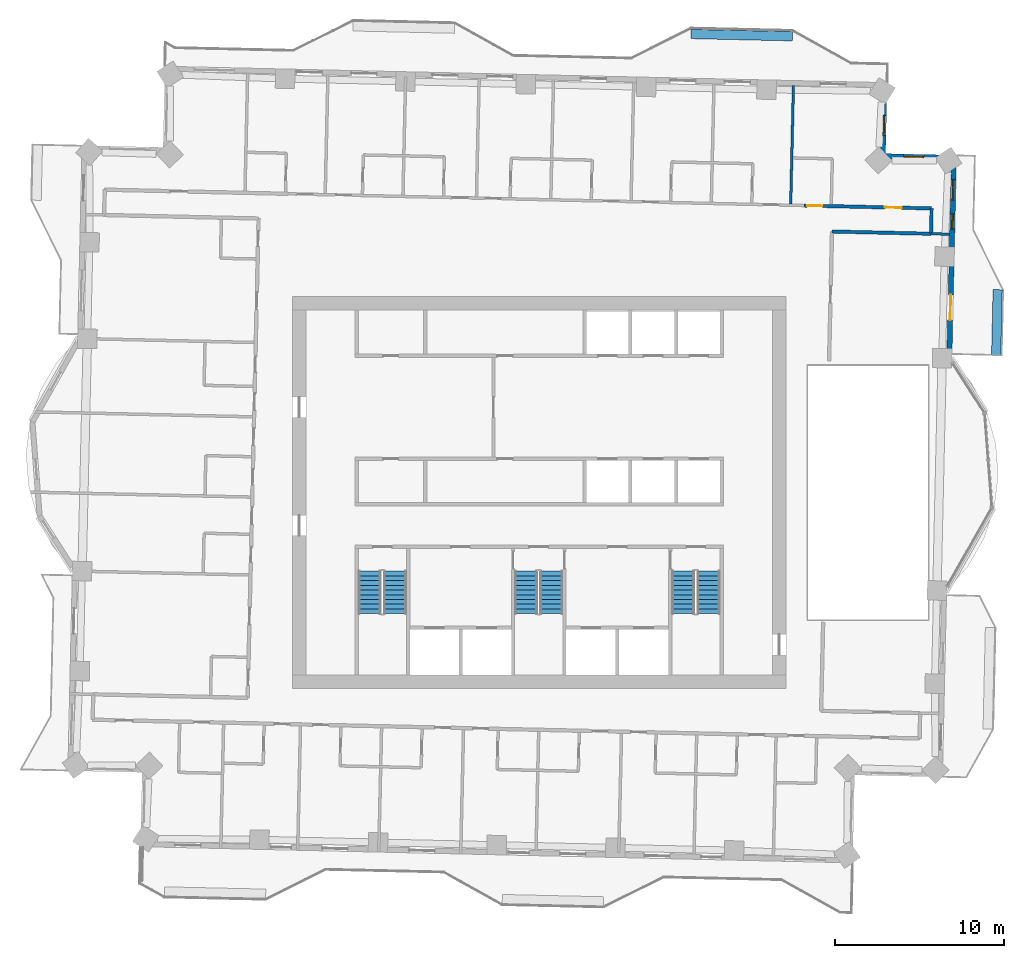
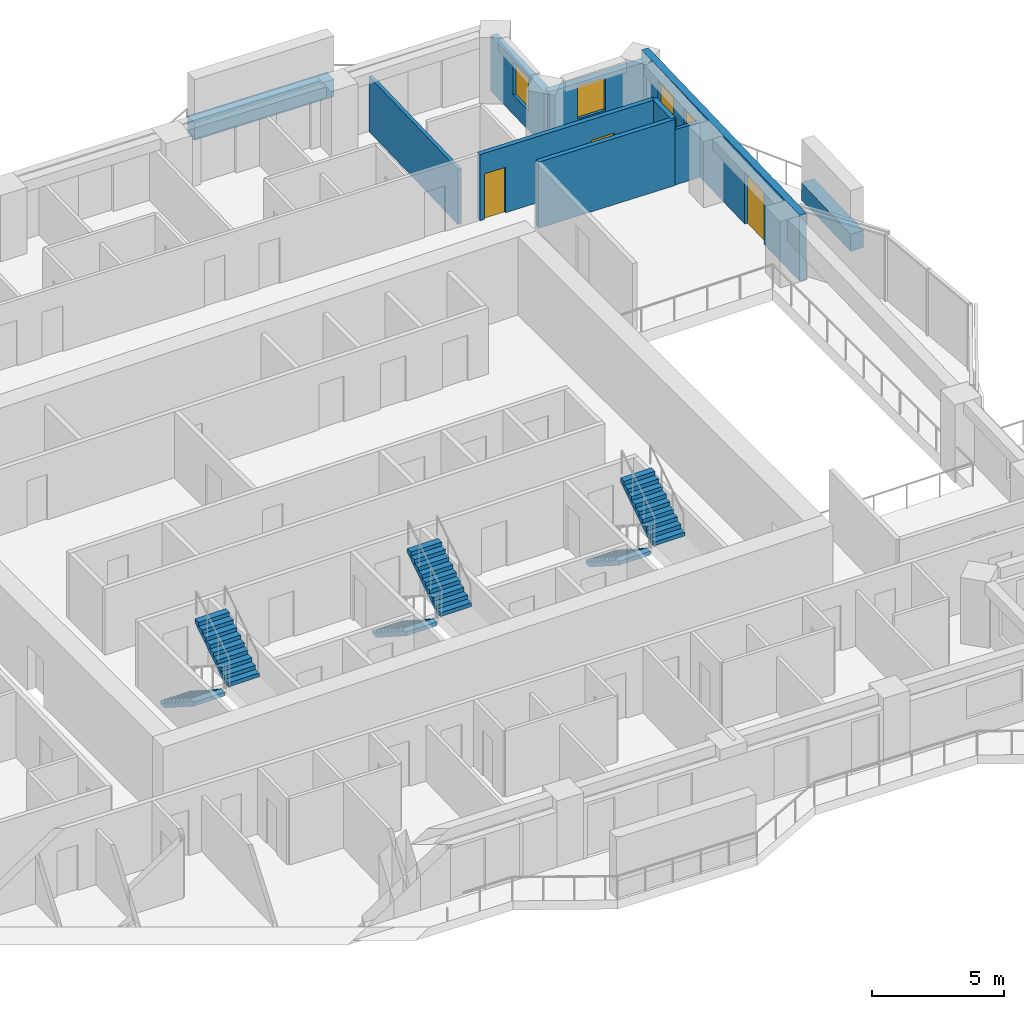
# One storey, part 10 of 14: 10 walls, 6 stair flights, 4 windows, 3 doors, 7 openings, 3 elements without a shape of their own.
"""IFC4 building model written with IfcOpenShell, lengths in metres."""

from ifc_helpers import new_model, si_unit, direction, frame, frame_2d, origin, place, context, subcontext, project, spatial, polyline, rectangle, outline, extrude, material, layer, layer_set, type_object, element, fill, aggregate, save


model = new_model("IFC4")

# Units and contexts
model_context = context("Model", 3, precision=1e-05, world=origin(), true_north=direction((0.0, 1.0)))
body_context = subcontext(model_context, "Body", "Model", "MODEL_VIEW")
ifc_project = project(units=[si_unit("LENGTHUNIT", "METRE"), si_unit("AREAUNIT", "SQUARE_METRE"), si_unit("VOLUMEUNIT", "CUBIC_METRE"), si_unit("PLANEANGLEUNIT", "RADIAN"), si_unit("MASSUNIT", "GRAM", prefix="KILO")], contexts=[model_context])

# Site, building, storey
site_placement = place(None, origin())
site = spatial("IfcSite", under=ifc_project, at=site_placement, CompositionType="ELEMENT")
building_placement = place(site_placement, origin())
building = spatial("IfcBuilding", under=site, at=building_placement, Name="Mangrove Gate Tower", CompositionType="ELEMENT")
storey_placement = place(building_placement, frame((0.0, 0.0, 205.10009765625)))
storey = spatial("IfcBuildingStorey", under=building, at=storey_placement, Name="L52", CompositionType="ELEMENT", Elevation=205.10009765625)

# Walls
ifc_material_1 = material(Name="Gypsum board on steel stud, EI 60", Category="steel")
ifc_layer_1 = layer(ifc_material_1, 0.199951171875)
ifc_layer_set_1 = layer_set([ifc_layer_1], Name="Corridor wall EI 60")
wall_type_1 = type_object("IfcWallType", Name="Corridor wall EI 60", PredefinedType="PARTITIONING", material=ifc_layer_set_1)
wall_1_placement = place(storey_placement, frame((17.322998046875, 15.444091796875, 0.0), z_axis=(0.0, 0.0, 1.0), x_axis=(0.999742758565, -0.022680756085, 0.0)))
element("IfcWall", 1, at=wall_1_placement, inside=storey, type_object=wall_type_1, Name="WALL-L52-050", PredefinedType="PARTITIONING", context=body_context, shape_type="SweptSolid", body=[
    extrude(rectangle(XDim=5.866455078125, YDim=0.199951171875, at=frame_2d((2.93310546875, 0.0))), origin(), (0.0, 0.0, 1.0), 3.0498046875),
])
wall_2_placement = place(storey_placement, frame((23.18603515625, 15.31494140625, 0.0), z_axis=(0.0, 0.0, 1.0), x_axis=(0.022617910375, 0.999744182344, 0.0)))
element("IfcWall", 2, at=wall_2_placement, inside=storey, type_object=wall_type_1, Name="WALL-L52-053", PredefinedType="PARTITIONING", context=body_context, shape_type="SweptSolid", body=[
    extrude(rectangle(XDim=1.50048828125, YDim=0.199951171875, at=frame_2d((0.750244140625, 0.0))), origin(), (0.0, 0.0, 1.0), 3.0498046875),
])

# Wall, openings, doors
wall_3_placement = place(storey_placement, frame((15.657958984375, 16.98193359375, 0.0), z_axis=(0.0, 0.0, 1.0), x_axis=(0.99974485859, -0.022587999516, 0.0)))
wall_3 = element("IfcWall", 3, at=wall_3_placement, inside=storey, type_object=wall_type_1, Name="WALL-L52-056", PredefinedType="PARTITIONING", context=body_context, shape_type="SweptSolid", body=[
    extrude(rectangle(XDim=7.56591796875, YDim=0.199951171875, at=frame_2d((3.782958984375, 0.0))), origin(), (0.0, 0.0, 1.0), 3.0498046875),
])
opening_1_placement = place(wall_3_placement, frame((4.7939453125, 0.0, 0.0)))
opening_1 = element("IfcOpeningElement", 4, at=opening_1_placement, cuts=wall_3, Name="Opening AD", PredefinedType="OPENING", context=body_context, shape_type="SweptSolid", body=[
    extrude(rectangle(XDim=1.0, YDim=2.10009765625, at=frame_2d((0.5, 1.050048828125))), frame((0.0, 0.10986328125, 0.0), z_axis=(0.0, -1.0, 0.0), x_axis=(1.0, 0.0, 0.0)), (0.0, 0.0, 1.0), 0.219970703125),
])
opening_2_placement = place(wall_3_placement, frame((0.199951171875, 0.0, 0.0)))
opening_2 = element("IfcOpeningElement", 5, at=opening_2_placement, cuts=wall_3, Name="Opening SD", PredefinedType="OPENING", context=body_context, shape_type="SweptSolid", body=[
    extrude(rectangle(XDim=0.89990234375, YDim=2.10009765625, at=frame_2d((0.449951171875, 1.050048828125))), frame((0.0, 0.10986328125, 0.0), z_axis=(0.0, -1.0, 0.0), x_axis=(1.0, 0.0, 0.0)), (0.0, 0.0, 1.0), 0.219970703125),
])
ifc_material_2 = material(Name="Timber door leaf", Category="wood")
door_type_1 = type_object("IfcDoorType", Name="Amenity door 1000", OperationType="SINGLE_SWING_LEFT", PredefinedType="DOOR", material=ifc_material_2)
door_1_placement = place(opening_1_placement, origin())
door_1 = element("IfcDoor", 6, at=door_1_placement, inside=storey, type_object=door_type_1, Name="DOOR-L52-KIT-c3a", OperationType="SINGLE_SWING_LEFT", OverallHeight=2.10009765625, OverallWidth=1.0, PredefinedType="DOOR", context=body_context, shape_type="SweptSolid", body=[
    extrude(rectangle(XDim=1.0, YDim=2.10009765625, at=frame_2d((0.5, 1.050048828125))), frame((0.0, 0.02490234375, 0.0), z_axis=(0.0, -1.0, 0.0), x_axis=(1.0, 0.0, 0.0)), (0.0, 0.0, 1.0), 0.050048828125),
])
fill(opening_1, door_1)
ifc_material_3 = material(Name="Timber door leaf", Category="wood")
door_type_2 = type_object("IfcDoorType", Name="Service room door 900", OperationType="SINGLE_SWING_LEFT", PredefinedType="DOOR", material=ifc_material_3)
door_2_placement = place(opening_2_placement, origin())
door_2 = element("IfcDoor", 7, at=door_2_placement, inside=storey, type_object=door_type_2, Name="DOOR-L52-WC-c3b", OperationType="SINGLE_SWING_LEFT", OverallHeight=2.10009765625, OverallWidth=0.89990234375, PredefinedType="DOOR", context=body_context, shape_type="SweptSolid", body=[
    extrude(rectangle(XDim=0.89990234375, YDim=2.10009765625, at=frame_2d((0.449951171875, 1.050048828125))), frame((0.0, 0.02490234375, 0.0), z_axis=(0.0, -1.0, 0.0), x_axis=(1.0, 0.0, 0.0)), (0.0, 0.0, 1.0), 0.050048828125),
])
fill(opening_2, door_2)

# Wall, openings, door, windows
ifc_material_4 = material(Name="Limestone", Category="masonry")
ifc_layer_2 = layer(ifc_material_4, 0.0400390625, Name="Limestone cladding")
ifc_material_5 = material(Name="Ventilated air gap")
ifc_layer_3 = layer(ifc_material_5, 0.0400390625, Name="Ventilated cavity")
ifc_material_6 = material(Name="Mineral wool insulation")
ifc_layer_4 = layer(ifc_material_6, 0.06005859375, Name="Insulation")
ifc_material_7 = material(Name="Breather membrane")
ifc_layer_5 = layer(ifc_material_7, 0.001953125, Name="Breather membrane")
ifc_material_8 = material(Name="Concrete C20/25 blockwork", Category="masonry")
ifc_layer_6 = layer(ifc_material_8, 0.14990234375, Name="Blockwork backing wall")
ifc_material_9 = material(Name="Gypsum plaster")
ifc_layer_7 = layer(ifc_material_9, 0.008056640625, Name="Internal plaster")
ifc_layer_set_2 = layer_set([ifc_layer_2, ifc_layer_3, ifc_layer_4, ifc_layer_5, ifc_layer_6, ifc_layer_7], Name="External wall 300 limestone cladding")
wall_type_2 = type_object("IfcWallType", Name="External wall 300 limestone cladding", PredefinedType="SOLIDWALL", material=ifc_layer_set_2)
wall_4_placement = place(storey_placement, frame((24.259033203125, 7.39111328125, 0.0), z_axis=(0.0, 0.0, 1.0), x_axis=(0.022696408441, 0.999742403344, 0.0)))
wall_4 = element("IfcWall", 8, at=wall_4_placement, inside=storey, type_object=wall_type_2, Name="WALL-L52-E2s1", PredefinedType="SOLIDWALL", context=body_context, shape_type="SweptSolid", body=[
    extrude(rectangle(XDim=12.424072265625, YDim=0.300048828125, at=frame_2d((6.2119140625, 0.0))), origin(), (0.0, 0.0, 1.0), 3.0498046875),
])
opening_3_placement = place(wall_4_placement, frame((2.805908203125, 0.0, 0.0)))
opening_3 = element("IfcOpeningElement", 9, at=opening_3_placement, cuts=wall_4, Name="Opening BD1", PredefinedType="OPENING", context=body_context, shape_type="SweptSolid", body=[
    extrude(rectangle(XDim=1.5, YDim=2.39990234375, at=frame_2d((0.75, 1.199951171875))), frame((0.0, 0.159912109375, 0.0), z_axis=(0.0, -1.0, 0.0), x_axis=(1.0, 0.0, 0.0)), (0.0, 0.0, 1.0), 0.320068359375),
])
opening_4_placement = place(wall_4_placement, frame((8.197998046875, 0.0, 0.89990234375)))
opening_4 = element("IfcOpeningElement", 10, at=opening_4_placement, cuts=wall_4, Name="Opening W5", PredefinedType="OPENING", context=body_context, shape_type="SweptSolid", body=[
    extrude(rectangle(XDim=0.89990234375, YDim=1.5, at=frame_2d((0.449951171875, 0.75))), frame((0.0, 0.159912109375, 0.0), z_axis=(0.0, -1.0, 0.0), x_axis=(1.0, 0.0, 0.0)), (0.0, 0.0, 1.0), 0.320068359375),
])
opening_5_placement = place(wall_4_placement, frame((9.9208984375, 0.0, 0.89990234375)))
opening_5 = element("IfcOpeningElement", 11, at=opening_5_placement, cuts=wall_4, Name="Opening W1", PredefinedType="OPENING", context=body_context, shape_type="SweptSolid", body=[
    extrude(rectangle(XDim=1.199951171875, YDim=1.5, at=frame_2d((0.60009765625, 0.75))), frame((0.0, 0.159912109375, 0.0), z_axis=(0.0, -1.0, 0.0), x_axis=(1.0, 0.0, 0.0)), (0.0, 0.0, 1.0), 0.320068359375),
])
ifc_material_10 = material(Name="Aluminium frame with laminated clear glass", Category="aluminium")
door_type_3 = type_object("IfcDoorType", Name="Balcony sliding door 1500x2400", OperationType="SLIDING_TO_LEFT", PredefinedType="DOOR", material=ifc_material_10)
door_3_placement = place(opening_3_placement, origin())
door_3 = element("IfcDoor", 12, at=door_3_placement, inside=storey, type_object=door_type_3, Name="DOOR-L52-E2-1", OperationType="SLIDING_TO_LEFT", OverallHeight=2.39990234375, OverallWidth=1.5, PredefinedType="DOOR", context=body_context, shape_type="SweptSolid", body=[
    extrude(rectangle(XDim=1.5, YDim=2.39990234375, at=frame_2d((0.75, 1.199951171875))), frame((0.0, 0.02490234375, 0.0), z_axis=(0.0, -1.0, 0.0), x_axis=(1.0, 0.0, 0.0)), (0.0, 0.0, 1.0), 0.050048828125),
])
fill(opening_3, door_3)
ifc_material_11 = material(Name="Aluminium frame with double-glazed low-e glass", Category="aluminium")
window_type_1 = type_object("IfcWindowType", Name="Narrow window 900x1500", PartitioningType="SINGLE_PANEL", PredefinedType="WINDOW", material=ifc_material_11)
window_1_placement = place(opening_4_placement, origin())
window_1 = element("IfcWindow", 13, at=window_1_placement, inside=storey, type_object=window_type_1, Name="WIN-L52-E2-2", OverallHeight=1.5, OverallWidth=0.89990234375, PartitioningType="SINGLE_PANEL", PredefinedType="WINDOW", context=body_context, shape_type="SweptSolid", body=[
    extrude(rectangle(XDim=0.89990234375, YDim=1.5, at=frame_2d((0.449951171875, 0.75))), frame((0.0, 0.030029296875, 0.0), z_axis=(0.0, -1.0, 0.0), x_axis=(1.0, 0.0, 0.0)), (0.0, 0.0, 1.0), 0.06005859375),
])
fill(opening_4, window_1)
ifc_material_12 = material(Name="Aluminium frame with double-glazed low-e glass", Category="aluminium")
window_type_2 = type_object("IfcWindowType", Name="Side lite 1200x1500", PartitioningType="SINGLE_PANEL", PredefinedType="WINDOW", material=ifc_material_12)
window_2_placement = place(opening_5_placement, origin())
window_2 = element("IfcWindow", 14, at=window_2_placement, inside=storey, type_object=window_type_2, Name="WIN-L52-E2-3", OverallHeight=1.5, OverallWidth=1.199951171875, PartitioningType="SINGLE_PANEL", PredefinedType="WINDOW", context=body_context, shape_type="SweptSolid", body=[
    extrude(rectangle(XDim=1.199951171875, YDim=1.5, at=frame_2d((0.60009765625, 0.75))), frame((0.0, 0.030029296875, 0.0), z_axis=(0.0, -1.0, 0.0), x_axis=(1.0, 0.0, 0.0)), (0.0, 0.0, 1.0), 0.06005859375),
])
fill(opening_5, window_2)

# Wall, opening, window
wall_5_placement = place(storey_placement, frame((24.541015625, 19.81201171875, 0.0), z_axis=(0.0, 0.0, 1.0), x_axis=(-0.999744320311, 0.022611811187, 0.0)))
wall_5 = element("IfcWall", 15, at=wall_5_placement, inside=storey, type_object=wall_type_2, Name="WALL-L52-N3", PredefinedType="SOLIDWALL", context=body_context, shape_type="SweptSolid", body=[
    extrude(rectangle(XDim=4.199951171875, YDim=0.300048828125, at=frame_2d((2.10009765625, 0.0))), origin(), (0.0, 0.0, 1.0), 2.5498046875),
])
opening_6_placement = place(wall_5_placement, frame((1.782958984375, 0.0, 0.89990234375)))
opening_6 = element("IfcOpeningElement", 16, at=opening_6_placement, cuts=wall_5, Name="Opening W1", PredefinedType="OPENING", context=body_context, shape_type="SweptSolid", body=[
    extrude(rectangle(XDim=1.199951171875, YDim=1.5, at=frame_2d((0.60009765625, 0.75))), frame((0.0, 0.159912109375, 0.0), z_axis=(0.0, -1.0, 0.0), x_axis=(1.0, 0.0, 0.0)), (0.0, 0.0, 1.0), 0.320068359375),
])
window_3_placement = place(opening_6_placement, origin())
window_3 = element("IfcWindow", 17, at=window_3_placement, inside=storey, type_object=window_type_2, Name="WIN-L52-N3-1", OverallHeight=1.5, OverallWidth=1.199951171875, PartitioningType="SINGLE_PANEL", PredefinedType="WINDOW", context=body_context, shape_type="SweptSolid", body=[
    extrude(rectangle(XDim=1.199951171875, YDim=1.5, at=frame_2d((0.60009765625, 0.75))), frame((0.0, 0.030029296875, 0.0), z_axis=(0.0, -1.0, 0.0), x_axis=(1.0, 0.0, 0.0)), (0.0, 0.0, 1.0), 0.06005859375),
])
fill(opening_6, window_3)

wall_6_placement = place(storey_placement, frame((20.342041015625, 19.906982421875, 0.0), z_axis=(0.0, 0.0, 1.0), x_axis=(0.022611811187, 0.999744320311, 0.0)))
wall_6 = element("IfcWall", 18, at=wall_6_placement, inside=storey, type_object=wall_type_2, Name="WALL-L52-E4", PredefinedType="SOLIDWALL", context=body_context, shape_type="SweptSolid", body=[
    extrude(rectangle(XDim=4.199951171875, YDim=0.300048828125, at=frame_2d((2.10009765625, 0.0))), origin(), (0.0, 0.0, 1.0), 2.5498046875),
])
opening_7_placement = place(wall_6_placement, frame((1.2119140625, 0.0, 0.89990234375)))
opening_7 = element("IfcOpeningElement", 19, at=opening_7_placement, cuts=wall_6, Name="Opening W1", PredefinedType="OPENING", context=body_context, shape_type="SweptSolid", body=[
    extrude(rectangle(XDim=1.199951171875, YDim=1.5, at=frame_2d((0.60009765625, 0.75))), frame((0.0, 0.159912109375, 0.0), z_axis=(0.0, -1.0, 0.0), x_axis=(1.0, 0.0, 0.0)), (0.0, 0.0, 1.0), 0.320068359375),
])
window_4_placement = place(opening_7_placement, origin())
window_4 = element("IfcWindow", 20, at=window_4_placement, inside=storey, type_object=window_type_2, Name="WIN-L52-E4-1", OverallHeight=1.5, OverallWidth=1.199951171875, PartitioningType="SINGLE_PANEL", PredefinedType="WINDOW", context=body_context, shape_type="SweptSolid", body=[
    extrude(rectangle(XDim=1.199951171875, YDim=1.5, at=frame_2d((0.60009765625, 0.75))), frame((0.0, 0.030029296875, 0.0), z_axis=(0.0, -1.0, 0.0), x_axis=(1.0, 0.0, 0.0)), (0.0, 0.0, 1.0), 0.06005859375),
])
fill(opening_7, window_4)

# Walls
ifc_material_13 = material(Name="Gypsum board on steel stud, EI 60", Category="steel")
ifc_layer_8 = layer(ifc_material_13, 0.14990234375)
ifc_layer_set_3 = layer_set([ifc_layer_8], Name="Party wall 150 EI 60")
wall_type_3 = type_object("IfcWallType", Name="Party wall 150 EI 60", PredefinedType="PARTITIONING", material=ifc_layer_set_3)
wall_7_placement = place(storey_placement, frame((23.18798828125, 15.31103515625, 0.0), z_axis=(0.0, 0.0, 1.0), x_axis=(0.999738848859, -0.022852441507, 0.0)))
element("IfcWall", 21, at=wall_7_placement, inside=storey, type_object=wall_type_3, Name="WALL-L52-051", PredefinedType="PARTITIONING", context=body_context, shape_type="SweptSolid", body=[
    extrude(rectangle(XDim=1.100341796875, YDim=0.14990234375, at=frame_2d((0.55029296875, 0.0))), origin(), (0.0, 0.0, 1.0), 2.5498046875),
])
wall_8_placement = place(storey_placement, frame((14.884033203125, 17.0791015625, 0.0), z_axis=(0.0, 0.0, 1.0), x_axis=(0.022703185001, 0.999742249478, 0.0)))
element("IfcWall", 22, at=wall_8_placement, inside=storey, type_object=wall_type_3, Name="WALL-L52-071", PredefinedType="PARTITIONING", context=body_context, shape_type="SweptSolid", body=[
    extrude(rectangle(XDim=7.00048828125, YDim=0.14990234375, at=frame_2d((3.500244140625, 0.0))), origin(), (0.0, 0.0, 1.0), 2.5498046875),
])
ifc_material_14 = material(Name="Concrete C32/40", Category="concrete")
ifc_layer_9 = layer(ifc_material_14, 0.199951171875, Name="Planter trough wall")
ifc_material_15 = material(Name="Bituminous waterproofing membrane")
ifc_layer_10 = layer(ifc_material_15, 0.0048828125, Name="Waterproofing")
ifc_material_16 = material(Name="Drainage board and gravel")
ifc_layer_11 = layer(ifc_material_16, 0.044921875, Name="Drainage layer")
ifc_material_17 = material(Name="Planting soil")
ifc_layer_12 = layer(ifc_material_17, 0.300048828125, Name="Growing medium")
ifc_layer_set_4 = layer_set([ifc_layer_9, ifc_layer_10, ifc_layer_11, ifc_layer_12], Name="Planter wall 550 C32/40")
wall_type_4 = type_object("IfcWallType", Name="Planter wall 550 C32/40", PredefinedType="USERDEFINED", material=ifc_layer_set_4)
wall_9_placement = place(storey_placement, frame((27.041015625, 8.126953125, 0.0), z_axis=(0.0, 0.0, 1.0), x_axis=(0.022681332769, 0.999742745482, 0.0)))
element("IfcWall", 23, at=wall_9_placement, inside=storey, type_object=wall_type_4, Name="PLANTER L52 E1.1", ObjectType="PLANTER", PredefinedType="USERDEFINED", context=body_context, shape_type="SweptSolid", body=[
    extrude(rectangle(XDim=3.875, YDim=0.550048828125, at=frame_2d((1.9375, 0.0))), origin(), (0.0, 0.0, 1.0), 0.7998046875),
])
wall_10_placement = place(storey_placement, frame((8.98095703125, 27.131103515625, 0.0), z_axis=(0.0, 0.0, 1.0), x_axis=(0.999743178102, -0.022662255828, 0.0)))
element("IfcWall", 24, at=wall_10_placement, inside=storey, type_object=wall_type_4, Name="PLANTER L52 N0.1", ObjectType="PLANTER", PredefinedType="USERDEFINED", context=body_context, shape_type="SweptSolid", body=[
    extrude(rectangle(XDim=6.00048828125, YDim=0.550048828125, at=frame_2d((3.000244140625, 0.0))), origin(), (0.0, 0.0, 1.0), 0.7998046875),
])

# Stair, stair flights
ifc_material_18 = material(Name="Concrete C40/50", Category="concrete")
stair_type = type_object("IfcStairType", Name="Core stair 1350", PredefinedType="HALF_TURN_STAIR", material=ifc_material_18)
stair_1_placement = place(storey_placement, origin())
stair_1 = element("IfcStair", 25, at=stair_1_placement, inside=storey, type_object=stair_type, Name="L52 Stair 1", PredefinedType="HALF_TURN_STAIR")
ifc_material_19 = material(Name="Concrete C40/50", Category="concrete")
stair_flight_type = type_object("IfcStairFlightType", Name="Core stair flight 1350", PredefinedType="STRAIGHT", material=ifc_material_19)
stair_flight_1_placement = place(storey_placement, frame((-10.02490234375, -4.64990234375, 0.0), z_axis=(0.0, 0.0, 1.0), x_axis=(0.0, -1.0, 0.0)))
stair_flight_1 = element("IfcStairFlight", 26, at=stair_flight_1_placement, type_object=stair_flight_type, Name="ST1 flight 1", NumberOfRisers=10, NumberOfTreads=9, PredefinedType="STRAIGHT", RiserHeight=0.18, TreadLength=0.28, context=body_context, shape_type="SweptSolid", body=[
    extrude(outline(polyline([(0.0, 0.0), (0.0, 0.179931640625), (0.280029296875, 0.179931640625), (0.280029296875, 0.360107421875), (0.56005859375, 0.360107421875), (0.56005859375, 0.5400390625), (0.840087890625, 0.5400390625), (0.840087890625, 0.719970703125), (1.1201171875, 0.719970703125), (1.1201171875, 0.89990234375), (1.39990234375, 0.89990234375), (1.39990234375, 1.080078125), (1.679931640625, 1.080078125), (1.679931640625, 1.260009765625), (1.9599609375, 1.260009765625), (1.9599609375, 1.43994140625), (2.239990234375, 1.43994140625), (2.239990234375, 1.6201171875), (2.52001953125, 1.6201171875), (2.52001953125, 1.800048828125), (2.52001953125, 1.44189453125), (0.277099609375, 0.0), (0.0, 0.0)])), frame((0.0, 0.675048828125, 0.0), z_axis=(0.0, -1.0, 0.0), x_axis=(1.0, 0.0, 0.0)), (0.0, 0.0, 1.0), 1.35009765625),
])
stair_flight_2_placement = place(storey_placement, frame((-8.52490234375, -7.169921875, 1.7998046875), z_axis=(0.0, 0.0, 1.0), x_axis=(0.0, 1.0, 0.0)))
stair_flight_2 = element("IfcStairFlight", 27, at=stair_flight_2_placement, type_object=stair_flight_type, Name="ST1 flight 2", NumberOfRisers=10, NumberOfTreads=9, PredefinedType="STRAIGHT", RiserHeight=0.18, TreadLength=0.28, context=body_context, shape_type="SweptSolid", body=[
    extrude(outline(polyline([(0.0, 0.0), (0.0, 0.179931640625), (0.280029296875, 0.179931640625), (0.280029296875, 0.360107421875), (0.56005859375, 0.360107421875), (0.56005859375, 0.5400390625), (0.840087890625, 0.5400390625), (0.840087890625, 0.719970703125), (1.1201171875, 0.719970703125), (1.1201171875, 0.89990234375), (1.39990234375, 0.89990234375), (1.39990234375, 1.080078125), (1.679931640625, 1.080078125), (1.679931640625, 1.260009765625), (1.9599609375, 1.260009765625), (1.9599609375, 1.43994140625), (2.239990234375, 1.43994140625), (2.239990234375, 1.6201171875), (2.52001953125, 1.6201171875), (2.52001953125, 1.800048828125), (2.52001953125, 1.44189453125), (0.277099609375, 0.0), (0.0, 0.0)])), frame((0.0, 0.675048828125, 0.0), z_axis=(0.0, -1.0, 0.0), x_axis=(1.0, 0.0, 0.0)), (0.0, 0.0, 1.0), 1.35009765625),
])
aggregate(stair_1, [stair_flight_1, stair_flight_2])

stair_2_placement = place(storey_placement, origin())
stair_2 = element("IfcStair", 28, at=stair_2_placement, inside=storey, type_object=stair_type, Name="L52 Stair 2", PredefinedType="HALF_TURN_STAIR")
stair_flight_3_placement = place(storey_placement, frame((-0.77490234375, -4.64990234375, 0.0), z_axis=(0.0, 0.0, 1.0), x_axis=(0.0, -1.0, 0.0)))
stair_flight_3 = element("IfcStairFlight", 29, at=stair_flight_3_placement, type_object=stair_flight_type, Name="ST2 flight 1", NumberOfRisers=10, NumberOfTreads=9, PredefinedType="STRAIGHT", RiserHeight=0.18, TreadLength=0.28, context=body_context, shape_type="SweptSolid", body=[
    extrude(outline(polyline([(0.0, 0.0), (0.0, 0.179931640625), (0.280029296875, 0.179931640625), (0.280029296875, 0.360107421875), (0.56005859375, 0.360107421875), (0.56005859375, 0.5400390625), (0.840087890625, 0.5400390625), (0.840087890625, 0.719970703125), (1.1201171875, 0.719970703125), (1.1201171875, 0.89990234375), (1.39990234375, 0.89990234375), (1.39990234375, 1.080078125), (1.679931640625, 1.080078125), (1.679931640625, 1.260009765625), (1.9599609375, 1.260009765625), (1.9599609375, 1.43994140625), (2.239990234375, 1.43994140625), (2.239990234375, 1.6201171875), (2.52001953125, 1.6201171875), (2.52001953125, 1.800048828125), (2.52001953125, 1.44189453125), (0.277099609375, 0.0), (0.0, 0.0)])), frame((0.0, 0.675048828125, 0.0), z_axis=(0.0, -1.0, 0.0), x_axis=(1.0, 0.0, 0.0)), (0.0, 0.0, 1.0), 1.35009765625),
])
stair_flight_4_placement = place(storey_placement, frame((0.72509765625, -7.169921875, 1.7998046875), z_axis=(0.0, 0.0, 1.0), x_axis=(0.0, 1.0, 0.0)))
stair_flight_4 = element("IfcStairFlight", 30, at=stair_flight_4_placement, type_object=stair_flight_type, Name="ST2 flight 2", NumberOfRisers=10, NumberOfTreads=9, PredefinedType="STRAIGHT", RiserHeight=0.18, TreadLength=0.28, context=body_context, shape_type="SweptSolid", body=[
    extrude(outline(polyline([(0.0, 0.0), (0.0, 0.179931640625), (0.280029296875, 0.179931640625), (0.280029296875, 0.360107421875), (0.56005859375, 0.360107421875), (0.56005859375, 0.5400390625), (0.840087890625, 0.5400390625), (0.840087890625, 0.719970703125), (1.1201171875, 0.719970703125), (1.1201171875, 0.89990234375), (1.39990234375, 0.89990234375), (1.39990234375, 1.080078125), (1.679931640625, 1.080078125), (1.679931640625, 1.260009765625), (1.9599609375, 1.260009765625), (1.9599609375, 1.43994140625), (2.239990234375, 1.43994140625), (2.239990234375, 1.6201171875), (2.52001953125, 1.6201171875), (2.52001953125, 1.800048828125), (2.52001953125, 1.44189453125), (0.277099609375, 0.0), (0.0, 0.0)])), frame((0.0, 0.675048828125, 0.0), z_axis=(0.0, -1.0, 0.0), x_axis=(1.0, 0.0, 0.0)), (0.0, 0.0, 1.0), 1.35009765625),
])
aggregate(stair_2, [stair_flight_3, stair_flight_4])

stair_3_placement = place(storey_placement, origin())
stair_3 = element("IfcStair", 31, at=stair_3_placement, inside=storey, type_object=stair_type, Name="L52 Stair 3", PredefinedType="HALF_TURN_STAIR")
stair_flight_5_placement = place(storey_placement, frame((8.52490234375, -4.64990234375, 0.0), z_axis=(0.0, 0.0, 1.0), x_axis=(0.0, -1.0, 0.0)))
stair_flight_5 = element("IfcStairFlight", 32, at=stair_flight_5_placement, type_object=stair_flight_type, Name="ST3 flight 1", NumberOfRisers=10, NumberOfTreads=9, PredefinedType="STRAIGHT", RiserHeight=0.18, TreadLength=0.28, context=body_context, shape_type="SweptSolid", body=[
    extrude(outline(polyline([(0.0, 0.0), (0.0, 0.179931640625), (0.280029296875, 0.179931640625), (0.280029296875, 0.360107421875), (0.56005859375, 0.360107421875), (0.56005859375, 0.5400390625), (0.840087890625, 0.5400390625), (0.840087890625, 0.719970703125), (1.1201171875, 0.719970703125), (1.1201171875, 0.89990234375), (1.39990234375, 0.89990234375), (1.39990234375, 1.080078125), (1.679931640625, 1.080078125), (1.679931640625, 1.260009765625), (1.9599609375, 1.260009765625), (1.9599609375, 1.43994140625), (2.239990234375, 1.43994140625), (2.239990234375, 1.6201171875), (2.52001953125, 1.6201171875), (2.52001953125, 1.800048828125), (2.52001953125, 1.44189453125), (0.277099609375, 0.0), (0.0, 0.0)])), frame((0.0, 0.675048828125, 0.0), z_axis=(0.0, -1.0, 0.0), x_axis=(1.0, 0.0, 0.0)), (0.0, 0.0, 1.0), 1.35009765625),
])
stair_flight_6_placement = place(storey_placement, frame((10.02490234375, -7.169921875, 1.7998046875), z_axis=(0.0, 0.0, 1.0), x_axis=(0.0, 1.0, 0.0)))
stair_flight_6 = element("IfcStairFlight", 33, at=stair_flight_6_placement, type_object=stair_flight_type, Name="ST3 flight 2", NumberOfRisers=10, NumberOfTreads=9, PredefinedType="STRAIGHT", RiserHeight=0.18, TreadLength=0.28, context=body_context, shape_type="SweptSolid", body=[
    extrude(outline(polyline([(0.0, 0.0), (0.0, 0.179931640625), (0.280029296875, 0.179931640625), (0.280029296875, 0.360107421875), (0.56005859375, 0.360107421875), (0.56005859375, 0.5400390625), (0.840087890625, 0.5400390625), (0.840087890625, 0.719970703125), (1.1201171875, 0.719970703125), (1.1201171875, 0.89990234375), (1.39990234375, 0.89990234375), (1.39990234375, 1.080078125), (1.679931640625, 1.080078125), (1.679931640625, 1.260009765625), (1.9599609375, 1.260009765625), (1.9599609375, 1.43994140625), (2.239990234375, 1.43994140625), (2.239990234375, 1.6201171875), (2.52001953125, 1.6201171875), (2.52001953125, 1.800048828125), (2.52001953125, 1.44189453125), (0.277099609375, 0.0), (0.0, 0.0)])), frame((0.0, 0.675048828125, 0.0), z_axis=(0.0, -1.0, 0.0), x_axis=(1.0, 0.0, 0.0)), (0.0, 0.0, 1.0), 1.35009765625),
])
aggregate(stair_3, [stair_flight_5, stair_flight_6])

save(model, "model.ifc")
